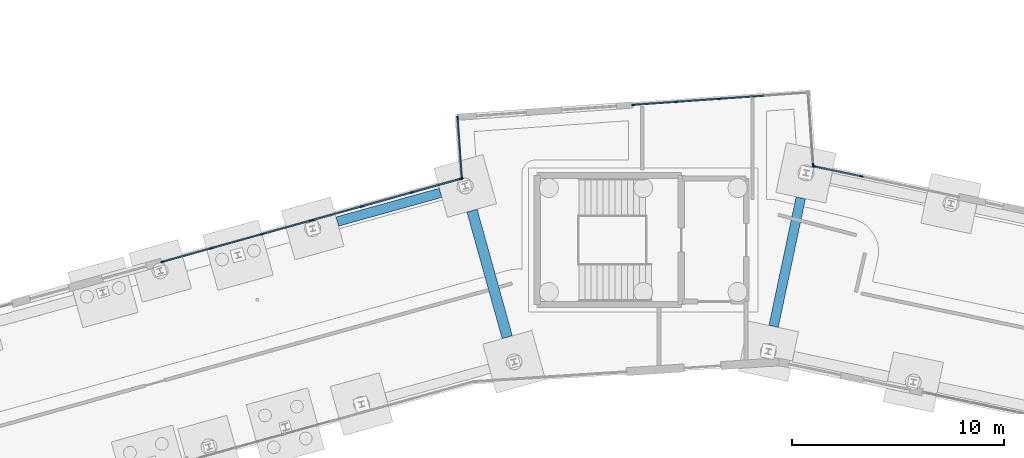
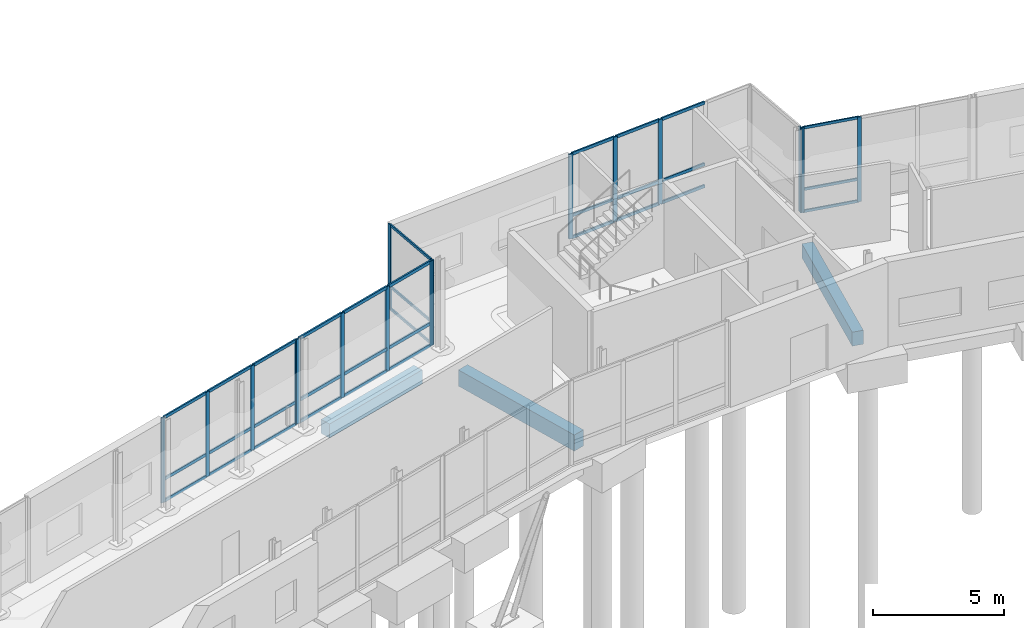
# One storey, part 37 of 113: 49 members, 3 beams, 6 elements without a shape of their own.
"""IFC4 building model written with IfcOpenShell, lengths in metres."""

from ifc_helpers import new_model, si_unit, direction, frame, origin, origin_2d, place, context, subcontext, project, spatial, rectangle, extrude, material, material_profile, profile_set, type_object, element, aggregate, save


model = new_model("IFC4")

# Units and contexts
model_context = context("Model", 3, precision=1e-05, world=origin(), true_north=direction((0.0, 1.0)))
body_context = subcontext(model_context, "Body", "Model", "MODEL_VIEW")
ifc_project = project(units=[si_unit("LENGTHUNIT", "METRE"), si_unit("AREAUNIT", "SQUARE_METRE"), si_unit("VOLUMEUNIT", "CUBIC_METRE"), si_unit("PLANEANGLEUNIT", "RADIAN"), si_unit("MASSUNIT", "GRAM", prefix="KILO")], contexts=[model_context])

# Site, building, storey
site_placement = place(None, origin())
site = spatial("IfcSite", under=ifc_project, at=site_placement, CompositionType="ELEMENT")
building_placement = place(site_placement, origin())
building = spatial("IfcBuilding", under=site, at=building_placement, Name="Wrenclough Park School", CompositionType="ELEMENT")
storey_placement = place(building_placement, origin())
storey = spatial("IfcBuildingStorey", under=building, at=storey_placement, Name="L00", CompositionType="ELEMENT", Elevation=0.0)

# Curtain wall, members
ifc_material_1 = material(Name="Thermally broken aluminium and low-e glass curtain wall", Category="aluminium")
curtain_wall_type_1 = type_object("IfcCurtainWallType", Name="ENV-CW-04", PredefinedType="USERDEFINED", material=ifc_material_1)
curtain_wall_1_placement = place(storey_placement, origin())
curtain_wall_1 = element("IfcCurtainWall", 1, at=curtain_wall_1_placement, inside=storey, type_object=curtain_wall_type_1, Name="L00 recessed curtain wall assembly 051", ObjectType="CURTAIN WALL", PredefinedType="USERDEFINED")
ifc_material_2 = material(Name="Thermally broken anodised aluminium", Category="aluminium")
ifc_material_profile_1 = material_profile(ifc_material_2, rectangle(XDim=0.06005859375, YDim=0.159912109375, at=origin_2d()), Name="AL MULLION 60x160")
ifc_profile_set_1 = profile_set([ifc_material_profile_1], Name="Thermally broken anodised aluminium")
member_type_1 = type_object("IfcMemberType", Name="ENV-CWM-1", PredefinedType="MULLION", material=ifc_profile_set_1)
member_1_placement = place(storey_placement, frame((85.501953125, 42.02783203125, 0.0), z_axis=(0.0, 0.0, 1.0), x_axis=(-0.997565489503, -0.06973588855, 0.0)))
member_1 = element("IfcMember", 2, at=member_1_placement, type_object=member_type_1, Name="CW-04 mullion 1", PredefinedType="MULLION", context=body_context, shape_type="SweptSolid", body=[
    extrude(rectangle(XDim=0.06005859375, YDim=0.159912109375, at=origin_2d()), origin(), (0.0, 0.0, 1.0), 3.93994140625),
])
member_2_placement = place(storey_placement, frame((85.304443359375, 44.853271484375, 0.0), z_axis=(0.0, 0.0, 1.0), x_axis=(-0.997565489503, -0.06973588855, 0.0)))
member_2 = element("IfcMember", 3, at=member_2_placement, type_object=member_type_1, Name="CW-04 mullion 2", PredefinedType="MULLION", context=body_context, shape_type="SweptSolid", body=[
    extrude(rectangle(XDim=0.06005859375, YDim=0.159912109375, at=origin_2d()), origin(), (0.0, 0.0, 1.0), 3.93994140625),
])

curtain_wall_type_2 = type_object("IfcCurtainWallType", Name="ENV-CW-07", PredefinedType="USERDEFINED", material=ifc_material_1)
curtain_wall_2_placement = place(storey_placement, origin())
curtain_wall_2 = element("IfcCurtainWall", 4, at=curtain_wall_2_placement, inside=storey, type_object=curtain_wall_type_2, Name="L00 recessed curtain wall assembly 054", ObjectType="CURTAIN WALL", PredefinedType="USERDEFINED")
member_3_placement = place(storey_placement, frame((102.09716796875, 42.57177734375, 0.0), z_axis=(0.0, 0.0, 1.0), x_axis=(0.206819986347, 0.978379013086, 0.0)))
member_3 = element("IfcMember", 5, at=member_3_placement, type_object=member_type_1, Name="CW-07 mullion 1", PredefinedType="MULLION", context=body_context, shape_type="SweptSolid", body=[
    extrude(rectangle(XDim=0.06005859375, YDim=0.159912109375, at=origin_2d()), origin(), (0.0, 0.0, 1.0), 3.93994140625),
])
member_4_placement = place(storey_placement, frame((104.341552734375, 42.097412109375, 0.0), z_axis=(0.0, 0.0, 1.0), x_axis=(0.206819986347, 0.978379013086, 0.0)))
member_4 = element("IfcMember", 6, at=member_4_placement, type_object=member_type_1, Name="CW-07 mullion 2", PredefinedType="MULLION", context=body_context, shape_type="SweptSolid", body=[
    extrude(rectangle(XDim=0.06005859375, YDim=0.159912109375, at=origin_2d()), origin(), (0.0, 0.0, 1.0), 3.93994140625),
])

curtain_wall_type_3 = type_object("IfcCurtainWallType", Name="ENV-CW-02", PredefinedType="USERDEFINED", material=ifc_material_1)
curtain_wall_3_placement = place(storey_placement, origin())
curtain_wall_3 = element("IfcCurtainWall", 7, at=curtain_wall_3_placement, inside=storey, type_object=curtain_wall_type_3, Name="L00 recessed curtain wall assembly 049", ObjectType="CURTAIN WALL", PredefinedType="USERDEFINED")
ifc_material_profile_2 = material_profile(ifc_material_2, rectangle(XDim=0.06494140625, YDim=0.179931640625, at=origin_2d()), Name="AL MULLION 65x180")
ifc_profile_set_2 = profile_set([ifc_material_profile_2], Name="Thermally broken anodised aluminium")
member_type_2 = type_object("IfcMemberType", Name="ENV-CWM-2", PredefinedType="MULLION", material=ifc_profile_set_2)
member_5_placement = place(storey_placement, frame((71.401611328125, 38.069580078125, 0.0), z_axis=(0.0, 0.0, 1.0), x_axis=(-0.268081523423, 0.963396230426, 0.0)))
member_5 = element("IfcMember", 8, at=member_5_placement, type_object=member_type_2, Name="CW-02 mullion 1", PredefinedType="MULLION", context=body_context, shape_type="SweptSolid", body=[
    extrude(rectangle(XDim=0.06494140625, YDim=0.179931640625, at=origin_2d()), origin(), (0.0, 0.0, 1.0), 3.93994140625),
])
member_6_placement = place(storey_placement, frame((73.72412109375, 38.7158203125, 0.0), z_axis=(0.0, 0.0, 1.0), x_axis=(-0.268081523423, 0.963396230426, 0.0)))
member_6 = element("IfcMember", 9, at=member_6_placement, type_object=member_type_2, Name="CW-02 mullion 2", PredefinedType="MULLION", context=body_context, shape_type="SweptSolid", body=[
    extrude(rectangle(XDim=0.06494140625, YDim=0.179931640625, at=origin_2d()), origin(), (0.0, 0.0, 1.0), 3.93994140625),
])
member_7_placement = place(storey_placement, frame((76.077880859375, 39.370849609375, 0.0), z_axis=(0.0, 0.0, 1.0), x_axis=(-0.268081523423, 0.963396230426, 0.0)))
member_7 = element("IfcMember", 10, at=member_7_placement, type_object=member_type_2, Name="CW-02 mullion 3", PredefinedType="MULLION", context=body_context, shape_type="SweptSolid", body=[
    extrude(rectangle(XDim=0.06494140625, YDim=0.179931640625, at=origin_2d()), origin(), (0.0, 0.0, 1.0), 3.93994140625),
])
member_8_placement = place(storey_placement, frame((78.400390625, 40.01708984375, 0.0), z_axis=(0.0, 0.0, 1.0), x_axis=(-0.268081523423, 0.963396230426, 0.0)))
member_8 = element("IfcMember", 11, at=member_8_placement, type_object=member_type_2, Name="CW-02 mullion 4", PredefinedType="MULLION", context=body_context, shape_type="SweptSolid", body=[
    extrude(rectangle(XDim=0.06494140625, YDim=0.179931640625, at=origin_2d()), origin(), (0.0, 0.0, 1.0), 3.93994140625),
])

curtain_wall_type_4 = type_object("IfcCurtainWallType", Name="ENV-CW-05", PredefinedType="USERDEFINED", material=ifc_material_1)
curtain_wall_4_placement = place(storey_placement, origin())
curtain_wall_4 = element("IfcCurtainWall", 12, at=curtain_wall_4_placement, inside=storey, type_object=curtain_wall_type_4, Name="L00 recessed curtain wall assembly 052", ObjectType="CURTAIN WALL", PredefinedType="USERDEFINED")
member_9_placement = place(storey_placement, frame((93.598388671875, 45.46728515625, 0.0), z_axis=(0.0, 0.0, 1.0), x_axis=(-0.069752977869, 0.997564294709, 0.0)))
member_9 = element("IfcMember", 13, at=member_9_placement, type_object=member_type_2, Name="CW-05 mullion 1", PredefinedType="MULLION", context=body_context, shape_type="SweptSolid", body=[
    extrude(rectangle(XDim=0.06494140625, YDim=0.179931640625, at=origin_2d()), origin(), (0.0, 0.0, 1.0), 3.93994140625),
])
member_10_placement = place(storey_placement, frame((95.62890625, 45.609130859375, 0.0), z_axis=(0.0, 0.0, 1.0), x_axis=(-0.069752977869, 0.997564294709, 0.0)))
member_10 = element("IfcMember", 14, at=member_10_placement, type_object=member_type_2, Name="CW-05 mullion 2", PredefinedType="MULLION", context=body_context, shape_type="SweptSolid", body=[
    extrude(rectangle(XDim=0.06494140625, YDim=0.179931640625, at=origin_2d()), origin(), (0.0, 0.0, 1.0), 3.93994140625),
])
member_11_placement = place(storey_placement, frame((97.69189453125, 45.75341796875, 0.0), z_axis=(0.0, 0.0, 1.0), x_axis=(-0.069752977869, 0.997564294709, 0.0)))
member_11 = element("IfcMember", 15, at=member_11_placement, type_object=member_type_2, Name="CW-05 mullion 3", PredefinedType="MULLION", context=body_context, shape_type="SweptSolid", body=[
    extrude(rectangle(XDim=0.06494140625, YDim=0.179931640625, at=origin_2d()), origin(), (0.0, 0.0, 1.0), 3.93994140625),
])

curtain_wall_type_5 = type_object("IfcCurtainWallType", Name="ENV-CW-03", PredefinedType="USERDEFINED", material=ifc_material_1)
curtain_wall_5_placement = place(storey_placement, origin())
curtain_wall_5 = element("IfcCurtainWall", 16, at=curtain_wall_5_placement, inside=storey, type_object=curtain_wall_type_5, Name="L00 recessed curtain wall assembly 050", ObjectType="CURTAIN WALL", PredefinedType="USERDEFINED")
ifc_material_profile_3 = material_profile(ifc_material_2, rectangle(XDim=0.070068359375, YDim=0.199951171875, at=origin_2d()), Name="AL MULLION 70x200")
ifc_profile_set_3 = profile_set([ifc_material_profile_3], Name="Thermally broken anodised aluminium")
member_type_3 = type_object("IfcMemberType", Name="ENV-CWM-3", PredefinedType="MULLION", material=ifc_profile_set_3)
member_12_placement = place(storey_placement, frame((78.47314453125, 40.037353515625, 0.0), z_axis=(0.0, 0.0, 1.0), x_axis=(-0.268072383958, 0.963398773592, 0.0)))
member_12 = element("IfcMember", 17, at=member_12_placement, type_object=member_type_3, Name="CW-03 mullion 1", PredefinedType="MULLION", context=body_context, shape_type="SweptSolid", body=[
    extrude(rectangle(XDim=0.070068359375, YDim=0.199951171875, at=origin_2d()), origin(), (0.0, 0.0, 1.0), 3.93994140625),
])
member_13_placement = place(storey_placement, frame((80.793212890625, 40.682861328125, 0.0), z_axis=(0.0, 0.0, 1.0), x_axis=(-0.268072383958, 0.963398773592, 0.0)))
member_13 = element("IfcMember", 18, at=member_13_placement, type_object=member_type_3, Name="CW-03 mullion 2", PredefinedType="MULLION", context=body_context, shape_type="SweptSolid", body=[
    extrude(rectangle(XDim=0.070068359375, YDim=0.199951171875, at=origin_2d()), origin(), (0.0, 0.0, 1.0), 3.93994140625),
])
member_14_placement = place(storey_placement, frame((83.146728515625, 41.337890625, 0.0), z_axis=(0.0, 0.0, 1.0), x_axis=(-0.268072383958, 0.963398773592, 0.0)))
member_14 = element("IfcMember", 19, at=member_14_placement, type_object=member_type_3, Name="CW-03 mullion 3", PredefinedType="MULLION", context=body_context, shape_type="SweptSolid", body=[
    extrude(rectangle(XDim=0.070068359375, YDim=0.199951171875, at=origin_2d()), origin(), (0.0, 0.0, 1.0), 3.93994140625),
])
member_15_placement = place(storey_placement, frame((85.466796875, 41.9833984375, 0.0), z_axis=(0.0, 0.0, 1.0), x_axis=(-0.268072383958, 0.963398773592, 0.0)))
member_15 = element("IfcMember", 20, at=member_15_placement, type_object=member_type_3, Name="CW-03 mullion 4", PredefinedType="MULLION", context=body_context, shape_type="SweptSolid", body=[
    extrude(rectangle(XDim=0.070068359375, YDim=0.199951171875, at=origin_2d()), origin(), (0.0, 0.0, 1.0), 3.93994140625),
])

# Curtain wall, member
curtain_wall_type_6 = type_object("IfcCurtainWallType", Name="ENV-CW-06", PredefinedType="USERDEFINED", material=ifc_material_1)
curtain_wall_6_placement = place(storey_placement, origin())
curtain_wall_6 = element("IfcCurtainWall", 21, at=curtain_wall_6_placement, inside=storey, type_object=curtain_wall_type_6, Name="L00 recessed curtain wall assembly 053", ObjectType="CURTAIN WALL", PredefinedType="USERDEFINED")
member_16_placement = place(storey_placement, frame((102.061279296875, 42.61767578125, 0.0), z_axis=(0.0, 0.0, 1.0), x_axis=(0.997566703256, 0.069718523753, 0.0)))
member_16 = element("IfcMember", 22, at=member_16_placement, type_object=member_type_3, Name="CW-06 mullion 2", PredefinedType="MULLION", context=body_context, shape_type="SweptSolid", body=[
    extrude(rectangle(XDim=0.070068359375, YDim=0.199951171875, at=origin_2d()), origin(), (0.0, 0.0, 1.0), 3.93994140625),
])
aggregate(curtain_wall_6, [member_16])

# Member
ifc_material_profile_4 = material_profile(ifc_material_2, rectangle(XDim=0.06005859375, YDim=0.1201171875, at=origin_2d()), Name="AL TRANSOM 60x120")
ifc_profile_set_4 = profile_set([ifc_material_profile_4], Name="Thermally broken anodised aluminium")
member_type_4 = type_object("IfcMemberType", Name="ENV-CWT-1", PredefinedType="USERDEFINED", material=ifc_profile_set_4)
member_17_placement = place(storey_placement, frame((85.5, 42.057861328125, 0.030029296875), z_axis=(-0.069751127736, 0.997564424075, 0.0), x_axis=(-0.997564424075, -0.069751127736, 0.0)))
member_17 = element("IfcMember", 23, at=member_17_placement, type_object=member_type_4, Name="CW-04 transom 1.1", ObjectType="TRANSOM", PredefinedType="USERDEFINED", context=body_context, shape_type="SweptSolid", body=[
    extrude(rectangle(XDim=0.06005859375, YDim=0.1201171875, at=origin_2d()), origin(), (0.0, 0.0, 1.0), 2.772216796875),
])

member_18_placement = place(storey_placement, frame((85.5, 42.057861328125, 1.050048828125), z_axis=(-0.069751127736, 0.997564424075, 0.0), x_axis=(-0.997564424075, -0.069751127736, 0.0)))
member_18 = element("IfcMember", 24, at=member_18_placement, type_object=member_type_4, Name="CW-04 transom 1.2", ObjectType="TRANSOM", PredefinedType="USERDEFINED", context=body_context, shape_type="SweptSolid", body=[
    extrude(rectangle(XDim=0.06005859375, YDim=0.1201171875, at=origin_2d()), origin(), (0.0, 0.0, 1.0), 2.772216796875),
])

member_19_placement = place(storey_placement, frame((85.5, 42.057861328125, 3.909912109375), z_axis=(-0.069751127736, 0.997564424075, 0.0), x_axis=(-0.997564424075, -0.069751127736, 0.0)))
member_19 = element("IfcMember", 25, at=member_19_placement, type_object=member_type_4, Name="CW-04 transom 1.3", ObjectType="TRANSOM", PredefinedType="USERDEFINED", context=body_context, shape_type="SweptSolid", body=[
    extrude(rectangle(XDim=0.06005859375, YDim=0.1201171875, at=origin_2d()), origin(), (0.0, 0.0, 1.0), 2.772216796875),
])

aggregate(curtain_wall_1, [member_1, member_2, member_17, member_18, member_19])

member_20_placement = place(storey_placement, frame((102.12646484375, 42.565673828125, 0.030029296875), z_axis=(0.978369697469, -0.206864049739, 0.0), x_axis=(0.206864049739, 0.978369697469, 0.0)))
member_20 = element("IfcMember", 26, at=member_20_placement, type_object=member_type_4, Name="CW-07 transom 1.1", ObjectType="TRANSOM", PredefinedType="USERDEFINED", context=body_context, shape_type="SweptSolid", body=[
    extrude(rectangle(XDim=0.06005859375, YDim=0.1201171875, at=origin_2d()), origin(), (0.0, 0.0, 1.0), 2.234130859375),
])

member_21_placement = place(storey_placement, frame((102.12646484375, 42.565673828125, 1.050048828125), z_axis=(0.978369697469, -0.206864049739, 0.0), x_axis=(0.206864049739, 0.978369697469, 0.0)))
member_21 = element("IfcMember", 27, at=member_21_placement, type_object=member_type_4, Name="CW-07 transom 1.2", ObjectType="TRANSOM", PredefinedType="USERDEFINED", context=body_context, shape_type="SweptSolid", body=[
    extrude(rectangle(XDim=0.06005859375, YDim=0.1201171875, at=origin_2d()), origin(), (0.0, 0.0, 1.0), 2.234130859375),
])

member_22_placement = place(storey_placement, frame((102.12646484375, 42.565673828125, 3.909912109375), z_axis=(0.978369697469, -0.206864049739, 0.0), x_axis=(0.206864049739, 0.978369697469, 0.0)))
member_22 = element("IfcMember", 28, at=member_22_placement, type_object=member_type_4, Name="CW-07 transom 1.3", ObjectType="TRANSOM", PredefinedType="USERDEFINED", context=body_context, shape_type="SweptSolid", body=[
    extrude(rectangle(XDim=0.06005859375, YDim=0.1201171875, at=origin_2d()), origin(), (0.0, 0.0, 1.0), 2.234130859375),
])

aggregate(curtain_wall_2, [member_3, member_4, member_20, member_21, member_22])

ifc_material_profile_5 = material_profile(ifc_material_2, rectangle(XDim=0.06494140625, YDim=0.139892578125, at=origin_2d()), Name="AL TRANSOM 65x140")
ifc_profile_set_5 = profile_set([ifc_material_profile_5], Name="Thermally broken anodised aluminium")
member_type_5 = type_object("IfcMemberType", Name="ENV-CWT-2", PredefinedType="USERDEFINED", material=ifc_profile_set_5)
member_23_placement = place(storey_placement, frame((71.43310546875, 38.078369140625, 0.032470703125), z_axis=(0.963386572478, 0.268116228469, 0.0), x_axis=(-0.268116228469, 0.963386572478, 0.0)))
member_23 = element("IfcMember", 29, at=member_23_placement, type_object=member_type_5, Name="CW-02 transom 1.1", ObjectType="TRANSOM", PredefinedType="USERDEFINED", context=body_context, shape_type="SweptSolid", body=[
    extrude(rectangle(XDim=0.06494140625, YDim=0.139892578125, at=origin_2d()), origin(), (0.0, 0.0, 1.0), 2.345703125),
])

member_24_placement = place(storey_placement, frame((71.43310546875, 38.078369140625, 1.050048828125), z_axis=(0.963386572478, 0.268116228469, 0.0), x_axis=(-0.268116228469, 0.963386572478, 0.0)))
member_24 = element("IfcMember", 30, at=member_24_placement, type_object=member_type_5, Name="CW-02 transom 1.2", ObjectType="TRANSOM", PredefinedType="USERDEFINED", context=body_context, shape_type="SweptSolid", body=[
    extrude(rectangle(XDim=0.06494140625, YDim=0.139892578125, at=origin_2d()), origin(), (0.0, 0.0, 1.0), 2.345703125),
])

member_25_placement = place(storey_placement, frame((71.43310546875, 38.078369140625, 3.907470703125), z_axis=(0.963386572478, 0.268116228469, 0.0), x_axis=(-0.268116228469, 0.963386572478, 0.0)))
member_25 = element("IfcMember", 31, at=member_25_placement, type_object=member_type_5, Name="CW-02 transom 1.3", ObjectType="TRANSOM", PredefinedType="USERDEFINED", context=body_context, shape_type="SweptSolid", body=[
    extrude(rectangle(XDim=0.06494140625, YDim=0.139892578125, at=origin_2d()), origin(), (0.0, 0.0, 1.0), 2.345703125),
])

member_26_placement = place(storey_placement, frame((73.75537109375, 38.724609375, 0.032470703125), z_axis=(0.963410471612, 0.268030340051, 0.0), x_axis=(-0.268030340051, 0.963410471612, 0.0)))
member_26 = element("IfcMember", 32, at=member_26_placement, type_object=member_type_5, Name="CW-02 transom 2.1", ObjectType="TRANSOM", PredefinedType="USERDEFINED", context=body_context, shape_type="SweptSolid", body=[
    extrude(rectangle(XDim=0.06494140625, YDim=0.139892578125, at=origin_2d()), origin(), (0.0, 0.0, 1.0), 2.378173828125),
])

member_27_placement = place(storey_placement, frame((73.75537109375, 38.724609375, 1.050048828125), z_axis=(0.963410471612, 0.268030340051, 0.0), x_axis=(-0.268030340051, 0.963410471612, 0.0)))
member_27 = element("IfcMember", 33, at=member_27_placement, type_object=member_type_5, Name="CW-02 transom 2.2", ObjectType="TRANSOM", PredefinedType="USERDEFINED", context=body_context, shape_type="SweptSolid", body=[
    extrude(rectangle(XDim=0.06494140625, YDim=0.139892578125, at=origin_2d()), origin(), (0.0, 0.0, 1.0), 2.378173828125),
])

member_28_placement = place(storey_placement, frame((73.75537109375, 38.724609375, 3.907470703125), z_axis=(0.963410471612, 0.268030340051, 0.0), x_axis=(-0.268030340051, 0.963410471612, 0.0)))
member_28 = element("IfcMember", 34, at=member_28_placement, type_object=member_type_5, Name="CW-02 transom 2.3", ObjectType="TRANSOM", PredefinedType="USERDEFINED", context=body_context, shape_type="SweptSolid", body=[
    extrude(rectangle(XDim=0.06494140625, YDim=0.139892578125, at=origin_2d()), origin(), (0.0, 0.0, 1.0), 2.378173828125),
])

member_29_placement = place(storey_placement, frame((76.109130859375, 39.379638671875, 0.032470703125), z_axis=(0.963413452821, 0.268019624137, 0.0), x_axis=(-0.268019624137, 0.963413452821, 0.0)))
member_29 = element("IfcMember", 35, at=member_29_placement, type_object=member_type_5, Name="CW-02 transom 3.1", ObjectType="TRANSOM", PredefinedType="USERDEFINED", context=body_context, shape_type="SweptSolid", body=[
    extrude(rectangle(XDim=0.06494140625, YDim=0.139892578125, at=origin_2d()), origin(), (0.0, 0.0, 1.0), 2.345703125),
])

member_30_placement = place(storey_placement, frame((76.109130859375, 39.379638671875, 1.050048828125), z_axis=(0.963413452821, 0.268019624137, 0.0), x_axis=(-0.268019624137, 0.963413452821, 0.0)))
member_30 = element("IfcMember", 36, at=member_30_placement, type_object=member_type_5, Name="CW-02 transom 3.2", ObjectType="TRANSOM", PredefinedType="USERDEFINED", context=body_context, shape_type="SweptSolid", body=[
    extrude(rectangle(XDim=0.06494140625, YDim=0.139892578125, at=origin_2d()), origin(), (0.0, 0.0, 1.0), 2.345703125),
])

member_31_placement = place(storey_placement, frame((76.109130859375, 39.379638671875, 3.907470703125), z_axis=(0.963413452821, 0.268019624137, 0.0), x_axis=(-0.268019624137, 0.963413452821, 0.0)))
member_31 = element("IfcMember", 37, at=member_31_placement, type_object=member_type_5, Name="CW-02 transom 3.3", ObjectType="TRANSOM", PredefinedType="USERDEFINED", context=body_context, shape_type="SweptSolid", body=[
    extrude(rectangle(XDim=0.06494140625, YDim=0.139892578125, at=origin_2d()), origin(), (0.0, 0.0, 1.0), 2.345703125),
])

aggregate(curtain_wall_3, [member_5, member_6, member_7, member_8, member_23, member_24, member_25, member_26, member_27, member_28, member_29, member_30, member_31])

member_32_placement = place(storey_placement, frame((93.630859375, 45.469482421875, 0.032470703125), z_axis=(0.997563884392, 0.069758845723, 0.0), x_axis=(-0.069758845723, 0.997563884392, 0.0)))
member_32 = element("IfcMember", 38, at=member_32_placement, type_object=member_type_5, Name="CW-05 transom 1.1", ObjectType="TRANSOM", PredefinedType="USERDEFINED", context=body_context, shape_type="SweptSolid", body=[
    extrude(rectangle(XDim=0.06494140625, YDim=0.139892578125, at=origin_2d()), origin(), (0.0, 0.0, 1.0), 1.970458984375),
])

member_33_placement = place(storey_placement, frame((93.630859375, 45.469482421875, 1.050048828125), z_axis=(0.997563884392, 0.069758845723, 0.0), x_axis=(-0.069758845723, 0.997563884392, 0.0)))
member_33 = element("IfcMember", 39, at=member_33_placement, type_object=member_type_5, Name="CW-05 transom 1.2", ObjectType="TRANSOM", PredefinedType="USERDEFINED", context=body_context, shape_type="SweptSolid", body=[
    extrude(rectangle(XDim=0.06494140625, YDim=0.139892578125, at=origin_2d()), origin(), (0.0, 0.0, 1.0), 1.970458984375),
])

member_34_placement = place(storey_placement, frame((93.630859375, 45.469482421875, 3.907470703125), z_axis=(0.997563884392, 0.069758845723, 0.0), x_axis=(-0.069758845723, 0.997563884392, 0.0)))
member_34 = element("IfcMember", 40, at=member_34_placement, type_object=member_type_5, Name="CW-05 transom 1.3", ObjectType="TRANSOM", PredefinedType="USERDEFINED", context=body_context, shape_type="SweptSolid", body=[
    extrude(rectangle(XDim=0.06494140625, YDim=0.139892578125, at=origin_2d()), origin(), (0.0, 0.0, 1.0), 1.970458984375),
])

member_35_placement = place(storey_placement, frame((95.661376953125, 45.611572265625, 0.032470703125), z_axis=(0.997566433383, 0.069722385129, 0.0), x_axis=(-0.069722385129, 0.997566433383, 0.0)))
member_35 = element("IfcMember", 41, at=member_35_placement, type_object=member_type_5, Name="CW-05 transom 2.1", ObjectType="TRANSOM", PredefinedType="USERDEFINED", context=body_context, shape_type="SweptSolid", body=[
    extrude(rectangle(XDim=0.06494140625, YDim=0.139892578125, at=origin_2d()), origin(), (0.0, 0.0, 1.0), 2.0029296875),
])

member_36_placement = place(storey_placement, frame((95.661376953125, 45.611572265625, 1.050048828125), z_axis=(0.997566433383, 0.069722385129, 0.0), x_axis=(-0.069722385129, 0.997566433383, 0.0)))
member_36 = element("IfcMember", 42, at=member_36_placement, type_object=member_type_5, Name="CW-05 transom 2.2", ObjectType="TRANSOM", PredefinedType="USERDEFINED", context=body_context, shape_type="SweptSolid", body=[
    extrude(rectangle(XDim=0.06494140625, YDim=0.139892578125, at=origin_2d()), origin(), (0.0, 0.0, 1.0), 2.0029296875),
])

member_37_placement = place(storey_placement, frame((95.661376953125, 45.611572265625, 3.907470703125), z_axis=(0.997566433383, 0.069722385129, 0.0), x_axis=(-0.069722385129, 0.997566433383, 0.0)))
member_37 = element("IfcMember", 43, at=member_37_placement, type_object=member_type_5, Name="CW-05 transom 2.3", ObjectType="TRANSOM", PredefinedType="USERDEFINED", context=body_context, shape_type="SweptSolid", body=[
    extrude(rectangle(XDim=0.06494140625, YDim=0.139892578125, at=origin_2d()), origin(), (0.0, 0.0, 1.0), 2.0029296875),
])

member_38_placement = place(storey_placement, frame((97.724365234375, 45.755859375, 0.032470703125), z_axis=(0.997566433383, 0.069722385129, 0.0), x_axis=(-0.069722385129, 0.997566433383, 0.0)))
member_38 = element("IfcMember", 44, at=member_38_placement, type_object=member_type_5, Name="CW-05 transom 3.1", ObjectType="TRANSOM", PredefinedType="USERDEFINED", context=body_context, shape_type="SweptSolid", body=[
    extrude(rectangle(XDim=0.06494140625, YDim=0.139892578125, at=origin_2d()), origin(), (0.0, 0.0, 1.0), 2.0029296875),
])

member_39_placement = place(storey_placement, frame((97.724365234375, 45.755859375, 1.050048828125), z_axis=(0.997566433383, 0.069722385129, 0.0), x_axis=(-0.069722385129, 0.997566433383, 0.0)))
member_39 = element("IfcMember", 45, at=member_39_placement, type_object=member_type_5, Name="CW-05 transom 3.2", ObjectType="TRANSOM", PredefinedType="USERDEFINED", context=body_context, shape_type="SweptSolid", body=[
    extrude(rectangle(XDim=0.06494140625, YDim=0.139892578125, at=origin_2d()), origin(), (0.0, 0.0, 1.0), 2.0029296875),
])

member_40_placement = place(storey_placement, frame((97.724365234375, 45.755859375, 3.907470703125), z_axis=(0.997566433383, 0.069722385129, 0.0), x_axis=(-0.069722385129, 0.997566433383, 0.0)))
member_40 = element("IfcMember", 46, at=member_40_placement, type_object=member_type_5, Name="CW-05 transom 3.3", ObjectType="TRANSOM", PredefinedType="USERDEFINED", context=body_context, shape_type="SweptSolid", body=[
    extrude(rectangle(XDim=0.06494140625, YDim=0.139892578125, at=origin_2d()), origin(), (0.0, 0.0, 1.0), 2.0029296875),
])

aggregate(curtain_wall_4, [member_9, member_10, member_11, member_32, member_33, member_34, member_35, member_36, member_37, member_38, member_39, member_40])

ifc_material_profile_6 = material_profile(ifc_material_2, rectangle(XDim=0.070068359375, YDim=0.14990234375, at=origin_2d()), Name="AL TRANSOM 70x150")
ifc_profile_set_6 = profile_set([ifc_material_profile_6], Name="Thermally broken anodised aluminium")
member_type_6 = type_object("IfcMemberType", Name="ENV-CWT-3", PredefinedType="USERDEFINED", material=ifc_profile_set_6)
member_41_placement = place(storey_placement, frame((78.5068359375, 40.046875, 0.034912109375), z_axis=(0.963404124586, 0.268053152809, 0.0), x_axis=(-0.268053152809, 0.963404124586, 0.0)))
member_41 = element("IfcMember", 47, at=member_41_placement, type_object=member_type_6, Name="CW-03 transom 1.1", ObjectType="TRANSOM", PredefinedType="USERDEFINED", context=body_context, shape_type="SweptSolid", body=[
    extrude(rectangle(XDim=0.070068359375, YDim=0.14990234375, at=origin_2d()), origin(), (0.0, 0.0, 1.0), 2.337890625),
])

member_42_placement = place(storey_placement, frame((78.5068359375, 40.046875, 1.050048828125), z_axis=(0.963404124586, 0.268053152809, 0.0), x_axis=(-0.268053152809, 0.963404124586, 0.0)))
member_42 = element("IfcMember", 48, at=member_42_placement, type_object=member_type_6, Name="CW-03 transom 1.2", ObjectType="TRANSOM", PredefinedType="USERDEFINED", context=body_context, shape_type="SweptSolid", body=[
    extrude(rectangle(XDim=0.070068359375, YDim=0.14990234375, at=origin_2d()), origin(), (0.0, 0.0, 1.0), 2.337890625),
])

member_43_placement = place(storey_placement, frame((78.5068359375, 40.046875, 3.905029296875), z_axis=(0.963404124586, 0.268053152809, 0.0), x_axis=(-0.268053152809, 0.963404124586, 0.0)))
member_43 = element("IfcMember", 49, at=member_43_placement, type_object=member_type_6, Name="CW-03 transom 1.3", ObjectType="TRANSOM", PredefinedType="USERDEFINED", context=body_context, shape_type="SweptSolid", body=[
    extrude(rectangle(XDim=0.070068359375, YDim=0.14990234375, at=origin_2d()), origin(), (0.0, 0.0, 1.0), 2.337890625),
])

member_44_placement = place(storey_placement, frame((80.826904296875, 40.6923828125, 0.034912109375), z_axis=(0.963414658284, 0.26801529099, 0.0), x_axis=(-0.26801529099, 0.963414658284, 0.0)))
member_44 = element("IfcMember", 50, at=member_44_placement, type_object=member_type_6, Name="CW-03 transom 2.1", ObjectType="TRANSOM", PredefinedType="USERDEFINED", context=body_context, shape_type="SweptSolid", body=[
    extrude(rectangle(XDim=0.070068359375, YDim=0.14990234375, at=origin_2d()), origin(), (0.0, 0.0, 1.0), 2.373046875),
])

member_45_placement = place(storey_placement, frame((80.826904296875, 40.6923828125, 1.050048828125), z_axis=(0.963414658284, 0.26801529099, 0.0), x_axis=(-0.26801529099, 0.963414658284, 0.0)))
member_45 = element("IfcMember", 51, at=member_45_placement, type_object=member_type_6, Name="CW-03 transom 2.2", ObjectType="TRANSOM", PredefinedType="USERDEFINED", context=body_context, shape_type="SweptSolid", body=[
    extrude(rectangle(XDim=0.070068359375, YDim=0.14990234375, at=origin_2d()), origin(), (0.0, 0.0, 1.0), 2.373046875),
])

member_46_placement = place(storey_placement, frame((80.826904296875, 40.6923828125, 3.905029296875), z_axis=(0.963414658284, 0.26801529099, 0.0), x_axis=(-0.26801529099, 0.963414658284, 0.0)))
member_46 = element("IfcMember", 52, at=member_46_placement, type_object=member_type_6, Name="CW-03 transom 2.3", ObjectType="TRANSOM", PredefinedType="USERDEFINED", context=body_context, shape_type="SweptSolid", body=[
    extrude(rectangle(XDim=0.070068359375, YDim=0.14990234375, at=origin_2d()), origin(), (0.0, 0.0, 1.0), 2.373046875),
])

member_47_placement = place(storey_placement, frame((83.180419921875, 41.34716796875, 0.034912109375), z_axis=(0.96338466109, 0.268123096313, 0.0), x_axis=(-0.268123096313, 0.96338466109, 0.0)))
member_47 = element("IfcMember", 53, at=member_47_placement, type_object=member_type_6, Name="CW-03 transom 3.1", ObjectType="TRANSOM", PredefinedType="USERDEFINED", context=body_context, shape_type="SweptSolid", body=[
    extrude(rectangle(XDim=0.070068359375, YDim=0.14990234375, at=origin_2d()), origin(), (0.0, 0.0, 1.0), 2.33837890625),
])

member_48_placement = place(storey_placement, frame((83.180419921875, 41.34716796875, 1.050048828125), z_axis=(0.96338466109, 0.268123096313, 0.0), x_axis=(-0.268123096313, 0.96338466109, 0.0)))
member_48 = element("IfcMember", 54, at=member_48_placement, type_object=member_type_6, Name="CW-03 transom 3.2", ObjectType="TRANSOM", PredefinedType="USERDEFINED", context=body_context, shape_type="SweptSolid", body=[
    extrude(rectangle(XDim=0.070068359375, YDim=0.14990234375, at=origin_2d()), origin(), (0.0, 0.0, 1.0), 2.33837890625),
])

member_49_placement = place(storey_placement, frame((83.180419921875, 41.34716796875, 3.905029296875), z_axis=(0.96338466109, 0.268123096313, 0.0), x_axis=(-0.268123096313, 0.96338466109, 0.0)))
member_49 = element("IfcMember", 55, at=member_49_placement, type_object=member_type_6, Name="CW-03 transom 3.3", ObjectType="TRANSOM", PredefinedType="USERDEFINED", context=body_context, shape_type="SweptSolid", body=[
    extrude(rectangle(XDim=0.070068359375, YDim=0.14990234375, at=origin_2d()), origin(), (0.0, 0.0, 1.0), 2.33837890625),
])

aggregate(curtain_wall_5, [member_12, member_13, member_14, member_15, member_41, member_42, member_43, member_44, member_45, member_46, member_47, member_48, member_49])

# Beams
ifc_material_3 = material(Name="Concrete C35/45", Category="concrete")
ifc_material_profile_7 = material_profile(ifc_material_3, rectangle(XDim=0.449951171875, YDim=0.64990234375, at=origin_2d()), Name="RC GROUND 450x650")
ifc_profile_set_7 = profile_set([ifc_material_profile_7], Name="Concrete C35/45")
beam_type_1 = type_object("IfcBeamType", Name="STR-BM-GTB1", PredefinedType="USERDEFINED", material=ifc_profile_set_7)
beam_1_placement = place(storey_placement, frame((84.49609375, 41.31884765625, -0.625), z_axis=(-0.963389532728, -0.268105591567, 0.0), x_axis=(0.268105591567, -0.963389532728, 0.0)))
element("IfcBeam", 56, at=beam_1_placement, inside=storey, type_object=beam_type_1, Name="Reinforced concrete ground tie beam 117", ObjectType="GROUND TIE BEAM", PredefinedType="USERDEFINED", context=body_context, shape_type="SweptSolid", body=[
    extrude(rectangle(XDim=0.449951171875, YDim=0.64990234375, at=origin_2d()), origin(), (0.0, 0.0, 1.0), 5.044921875),
])
beam_2_placement = place(storey_placement, frame((101.472900390625, 41.080810546875, -0.625), z_axis=(-0.2068321437, -0.978376443059, 0.0), x_axis=(0.978376443059, -0.2068321437, 0.0)))
element("IfcBeam", 57, at=beam_2_placement, inside=storey, type_object=beam_type_1, Name="Reinforced concrete ground tie beam 121", ObjectType="GROUND TIE BEAM", PredefinedType="USERDEFINED", context=body_context, shape_type="SweptSolid", body=[
    extrude(rectangle(XDim=0.449951171875, YDim=0.64990234375, at=origin_2d()), origin(), (0.0, 0.0, 1.0), 6.18408203125),
])
ifc_material_profile_8 = material_profile(ifc_material_3, rectangle(XDim=0.5, YDim=0.75, at=origin_2d()), Name="RC GROUND 500x750")
ifc_profile_set_8 = profile_set([ifc_material_profile_8], Name="Concrete C35/45")
beam_type_2 = type_object("IfcBeamType", Name="STR-BM-GTB2", PredefinedType="USERDEFINED", material=ifc_profile_set_8)
beam_3_placement = place(storey_placement, frame((85.983642578125, 40.478759765625, -0.675048828125), z_axis=(0.268071446743, -0.963399034378, 0.0), x_axis=(0.963399034378, 0.268071446743, 0.0)))
element("IfcBeam", 58, at=beam_3_placement, inside=storey, type_object=beam_type_2, Name="Reinforced concrete ground tie beam 118", ObjectType="GROUND TIE BEAM", PredefinedType="USERDEFINED", context=body_context, shape_type="SweptSolid", body=[
    extrude(rectangle(XDim=0.5, YDim=0.75, at=origin_2d()), origin(), (0.0, 0.0, 1.0), 6.183837890625),
])

save(model, "model.ifc")
